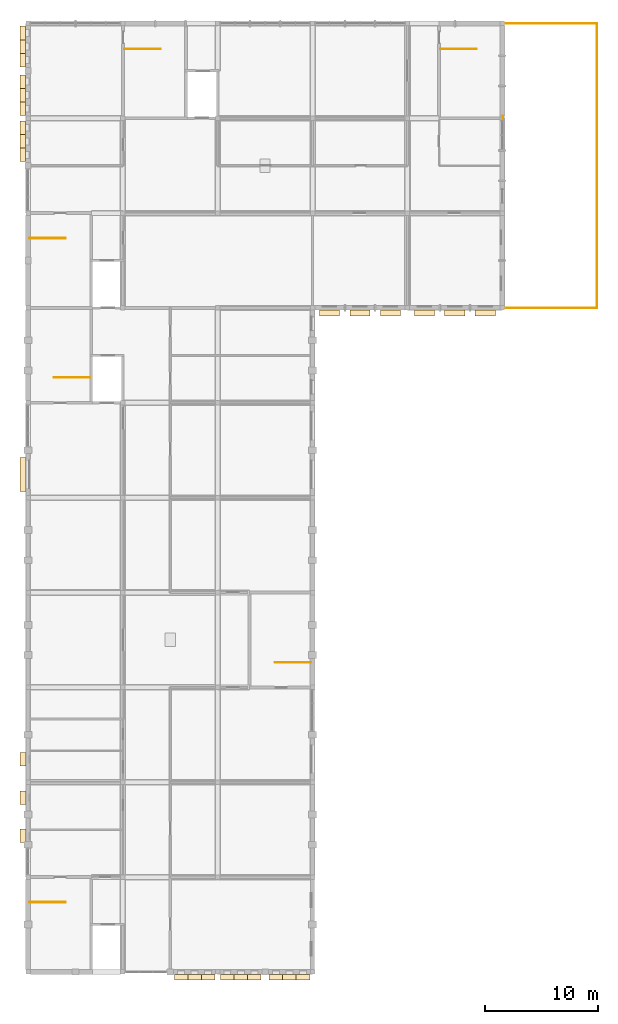
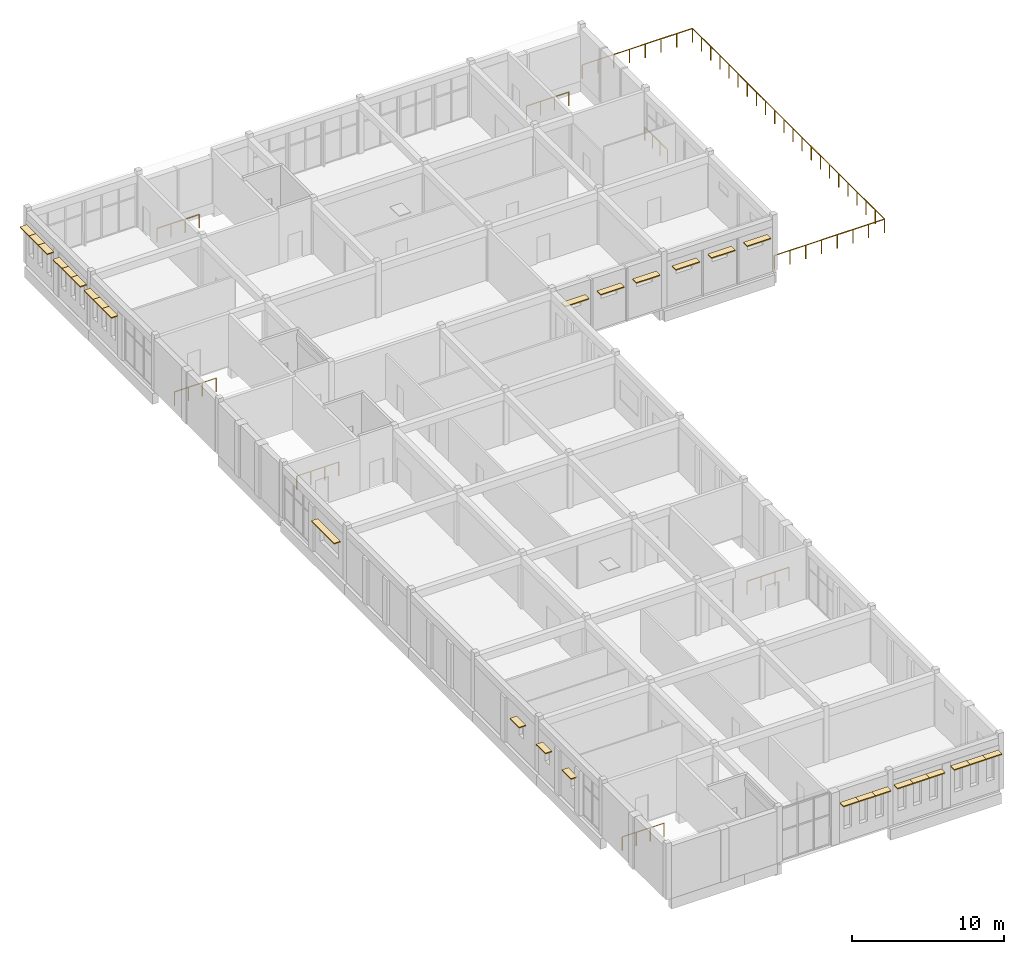
# One storey, part 15 of 15: 28 coverings, 9 railings.
"""IFC4 building model written with IfcOpenShell, lengths in metres."""

from ifc_helpers import new_model, si_unit, direction, frame, origin, origin_2d, place, context, subcontext, project, spatial, rectangle, circle, extrude, material, layer, layer_set, type_object, element, save


model = new_model("IFC4")

# Units and contexts
model_context = context("Model", 3, precision=1e-05, world=origin(), true_north=direction((0.0, 1.0)))
body_context = subcontext(model_context, "Body", "Model", "MODEL_VIEW")
ifc_project = project(units=[si_unit("LENGTHUNIT", "METRE"), si_unit("AREAUNIT", "SQUARE_METRE"), si_unit("VOLUMEUNIT", "CUBIC_METRE"), si_unit("PLANEANGLEUNIT", "RADIAN"), si_unit("MASSUNIT", "GRAM", prefix="KILO")], contexts=[model_context])

# Site, building, storey
site_placement = place(None, origin())
site = spatial("IfcSite", under=ifc_project, at=site_placement, CompositionType="ELEMENT")
building_placement = place(site_placement, origin())
building = spatial("IfcBuilding", under=site, at=building_placement, Name="Fescue Hill Polytechnic", CompositionType="ELEMENT")
storey_placement = place(building_placement, frame((0.0, 0.0, 31.5)))
storey = spatial("IfcBuildingStorey", under=building, at=storey_placement, Name="L07", CompositionType="ELEMENT", Elevation=31.5)

# Railings
ifc_material_1 = material(Name="Steel 350W (350 MPa)", Category="steel")
railing_type_1 = type_object("IfcRailingType", Name="Guard steel posts and rail 1100", PredefinedType="GUARDRAIL", material=ifc_material_1)
railing_1_placement = place(storey_placement, frame((50.39990234375, 109.199951171875, 0.0)))
element("IfcRailing", 1, at=railing_1_placement, inside=storey, type_object=railing_type_1, Name="GU-L07-V5-1", PredefinedType="GUARDRAIL", context=body_context, shape_type="SweptSolid", body=[
    extrude(circle(Radius=0.02392578125, at=origin_2d()), frame((0.0, 0.0, 1.076171875), z_axis=(-1.0, 0.0, 0.0), x_axis=(0.0, -1.0, 0.0)), (0.0, 0.0, 1.0), 8.349853515625),
    extrude(circle(Radius=0.02099609375, at=origin_2d()), origin(), (0.0, 0.0, 1.0), 1.052001953125),
    extrude(circle(Radius=0.02099609375, at=origin_2d()), frame((-1.19287109375, 0.0, 0.0)), (0.0, 0.0, 1.0), 1.052001953125),
    extrude(circle(Radius=0.02099609375, at=origin_2d()), frame((-2.3857421875, 0.0, 0.0)), (0.0, 0.0, 1.0), 1.052001953125),
    extrude(circle(Radius=0.02099609375, at=origin_2d()), frame((-3.57861328125, 0.0, 0.0)), (0.0, 0.0, 1.0), 1.052001953125),
    extrude(circle(Radius=0.02099609375, at=origin_2d()), frame((-4.771240234375, 0.0, 0.0)), (0.0, 0.0, 1.0), 1.052001953125),
    extrude(circle(Radius=0.02099609375, at=origin_2d()), frame((-5.964111328125, 0.0, 0.0)), (0.0, 0.0, 1.0), 1.052001953125),
    extrude(circle(Radius=0.02099609375, at=origin_2d()), frame((-7.156982421875, 0.0, 0.0)), (0.0, 0.0, 1.0), 1.052001953125),
    extrude(circle(Radius=0.02099609375, at=origin_2d()), frame((-8.349853515625, 0.0, 0.0)), (0.0, 0.0, 1.0), 1.052001953125),
])
railing_2_placement = place(storey_placement, frame((42.050048828125, 134.39990234375, 0.0)))
element("IfcRailing", 2, at=railing_2_placement, inside=storey, type_object=railing_type_1, Name="GU-L07-V5-2", PredefinedType="GUARDRAIL", context=body_context, shape_type="SweptSolid", body=[
    extrude(circle(Radius=0.02392578125, at=origin_2d()), frame((0.0, 0.0, 1.076171875), z_axis=(1.0, 0.0, 0.0), x_axis=(0.0, 1.0, 0.0)), (0.0, 0.0, 1.0), 8.349853515625),
    extrude(circle(Radius=0.02392578125, at=origin_2d()), frame((8.349853515625, 0.0, 1.076171875), z_axis=(0.0, -1.0, 0.0), x_axis=(1.0, 0.0, 0.0)), (0.0, 0.0, 1.0), 25.199951171875),
    extrude(circle(Radius=0.02099609375, at=origin_2d()), origin(), (0.0, 0.0, 1.0), 1.052001953125),
    extrude(circle(Radius=0.02099609375, at=origin_2d()), frame((1.19287109375, 0.0, 0.0)), (0.0, 0.0, 1.0), 1.052001953125),
    extrude(circle(Radius=0.02099609375, at=origin_2d()), frame((2.3857421875, 0.0, 0.0)), (0.0, 0.0, 1.0), 1.052001953125),
    extrude(circle(Radius=0.02099609375, at=origin_2d()), frame((3.57861328125, 0.0, 0.0)), (0.0, 0.0, 1.0), 1.052001953125),
    extrude(circle(Radius=0.02099609375, at=origin_2d()), frame((4.771240234375, 0.0, 0.0)), (0.0, 0.0, 1.0), 1.052001953125),
    extrude(circle(Radius=0.02099609375, at=origin_2d()), frame((5.964111328125, 0.0, 0.0)), (0.0, 0.0, 1.0), 1.052001953125),
    extrude(circle(Radius=0.02099609375, at=origin_2d()), frame((7.156982421875, 0.0, 0.0)), (0.0, 0.0, 1.0), 1.052001953125),
    extrude(circle(Radius=0.02099609375, at=origin_2d()), frame((8.349853515625, 0.0, 0.0)), (0.0, 0.0, 1.0), 1.052001953125),
    extrude(circle(Radius=0.02099609375, at=origin_2d()), frame((8.349853515625, -1.199951171875, 0.0)), (0.0, 0.0, 1.0), 1.052001953125),
    extrude(circle(Radius=0.02099609375, at=origin_2d()), frame((8.349853515625, -2.39990234375, 0.0)), (0.0, 0.0, 1.0), 1.052001953125),
    extrude(circle(Radius=0.02099609375, at=origin_2d()), frame((8.349853515625, -3.60009765625, 0.0)), (0.0, 0.0, 1.0), 1.052001953125),
    extrude(circle(Radius=0.02099609375, at=origin_2d()), frame((8.349853515625, -4.800048828125, 0.0)), (0.0, 0.0, 1.0), 1.052001953125),
    extrude(circle(Radius=0.02099609375, at=origin_2d()), frame((8.349853515625, -6.0, 0.0)), (0.0, 0.0, 1.0), 1.052001953125),
    extrude(circle(Radius=0.02099609375, at=origin_2d()), frame((8.349853515625, -7.199951171875, 0.0)), (0.0, 0.0, 1.0), 1.052001953125),
    extrude(circle(Radius=0.02099609375, at=origin_2d()), frame((8.349853515625, -8.39990234375, 0.0)), (0.0, 0.0, 1.0), 1.052001953125),
    extrude(circle(Radius=0.02099609375, at=origin_2d()), frame((8.349853515625, -9.60009765625, 0.0)), (0.0, 0.0, 1.0), 1.052001953125),
    extrude(circle(Radius=0.02099609375, at=origin_2d()), frame((8.349853515625, -10.800048828125, 0.0)), (0.0, 0.0, 1.0), 1.052001953125),
    extrude(circle(Radius=0.02099609375, at=origin_2d()), frame((8.349853515625, -12.0, 0.0)), (0.0, 0.0, 1.0), 1.052001953125),
    extrude(circle(Radius=0.02099609375, at=origin_2d()), frame((8.349853515625, -13.199951171875, 0.0)), (0.0, 0.0, 1.0), 1.052001953125),
    extrude(circle(Radius=0.02099609375, at=origin_2d()), frame((8.349853515625, -14.39990234375, 0.0)), (0.0, 0.0, 1.0), 1.052001953125),
    extrude(circle(Radius=0.02099609375, at=origin_2d()), frame((8.349853515625, -15.599853515625, 0.0)), (0.0, 0.0, 1.0), 1.052001953125),
    extrude(circle(Radius=0.02099609375, at=origin_2d()), frame((8.349853515625, -16.800048828125, 0.0)), (0.0, 0.0, 1.0), 1.052001953125),
    extrude(circle(Radius=0.02099609375, at=origin_2d()), frame((8.349853515625, -18.0, 0.0)), (0.0, 0.0, 1.0), 1.052001953125),
    extrude(circle(Radius=0.02099609375, at=origin_2d()), frame((8.349853515625, -19.199951171875, 0.0)), (0.0, 0.0, 1.0), 1.052001953125),
    extrude(circle(Radius=0.02099609375, at=origin_2d()), frame((8.349853515625, -20.39990234375, 0.0)), (0.0, 0.0, 1.0), 1.052001953125),
    extrude(circle(Radius=0.02099609375, at=origin_2d()), frame((8.349853515625, -21.599853515625, 0.0)), (0.0, 0.0, 1.0), 1.052001953125),
    extrude(circle(Radius=0.02099609375, at=origin_2d()), frame((8.349853515625, -22.800048828125, 0.0)), (0.0, 0.0, 1.0), 1.052001953125),
    extrude(circle(Radius=0.02099609375, at=origin_2d()), frame((8.349853515625, -24.0, 0.0)), (0.0, 0.0, 1.0), 1.052001953125),
    extrude(circle(Radius=0.02099609375, at=origin_2d()), frame((8.349853515625, -25.199951171875, 0.0)), (0.0, 0.0, 1.0), 1.052001953125),
])

# Coverings
ifc_material_2 = material(Name="Precast concrete C40/50", Category="concrete")
ifc_layer = layer(ifc_material_2, 0.080078125)
ifc_layer_set = layer_set([ifc_layer], Name="Precast concrete C40/50")
covering_type = type_object("IfcCoveringType", Name="Shade blade precast 500x80", PredefinedType="CLADDING", material=ifc_layer_set)
covering_placement = place(storey_placement, frame((-0.43994140625, 94.449951171875, 2.75), z_axis=(0.0, 0.0, 1.0), x_axis=(0.0, -1.0, 0.0)))
element("IfcCovering", 3, at=covering_placement, inside=storey, type_object=covering_type, Name="SB-L07-V4-1", PredefinedType="CLADDING", context=body_context, shape_type="SweptSolid", body=[
    extrude(rectangle(XDim=3.0, YDim=0.5, at=origin_2d()), origin(), (0.0, 0.0, 1.0), 0.080078125),
])
for number, where, z_axis, x_axis, name in (
    (4, (-0.43994140625, 69.25, 2.75), (0.0, 0.0, 1.0), (0.0, -1.0, 0.0), "SB-L07-V4-2"),
    (5, (-0.43994140625, 65.816650390625, 2.75), (0.0, 0.0, 1.0), (0.0, -1.0, 0.0), "SB-L07-V4-3"),
    (6, (-0.43994140625, 62.449951171875, 2.75), (0.0, 0.0, 1.0), (0.0, -1.0, 0.0), "SB-L07-V4-4"),
    (7, (13.550048828125, 49.93994140625, 3.14990234375), (0.0, 0.0, 1.0), (1.0, 0.0, 0.0), "SB-L07-V4-5"),
    (8, (14.75, 49.93994140625, 3.14990234375), (0.0, 0.0, 1.0), (1.0, 0.0, 0.0), "SB-L07-V4-6"),
    (9, (15.949951171875, 49.93994140625, 3.14990234375), (0.0, 0.0, 1.0), (1.0, 0.0, 0.0), "SB-L07-V4-7"),
    (10, (17.64990234375, 49.93994140625, 3.14990234375), (0.0, 0.0, 1.0), (1.0, 0.0, 0.0), "SB-L07-V4-8"),
    (11, (18.85009765625, 49.93994140625, 3.14990234375), (0.0, 0.0, 1.0), (1.0, 0.0, 0.0), "SB-L07-V4-9"),
    (12, (20.050048828125, 49.93994140625, 3.14990234375), (0.0, 0.0, 1.0), (1.0, 0.0, 0.0), "SB-L07-V4-10"),
    (13, (21.949951171875, 49.93994140625, 3.14990234375), (0.0, 0.0, 1.0), (1.0, 0.0, 0.0), "SB-L07-V4-11"),
    (14, (23.14990234375, 49.93994140625, 3.14990234375), (0.0, 0.0, 1.0), (1.0, 0.0, 0.0), "SB-L07-V4-12"),
    (15, (24.35009765625, 49.93994140625, 3.14990234375), (0.0, 0.0, 1.0), (1.0, 0.0, 0.0), "SB-L07-V4-13"),
    (16, (-0.4599609375, 133.550048828125, 3.14990234375), (0.0, 0.0, 1.0), (0.0, -1.0, 0.0), "SB-L07-V5-1"),
    (17, (-0.4599609375, 132.35009765625, 3.14990234375), (0.0, 0.0, 1.0), (0.0, -1.0, 0.0), "SB-L07-V5-2"),
    (18, (-0.4599609375, 131.14990234375, 3.14990234375), (0.0, 0.0, 1.0), (0.0, -1.0, 0.0), "SB-L07-V5-3"),
    (19, (-0.4599609375, 129.25, 3.14990234375), (0.0, 0.0, 1.0), (0.0, -1.0, 0.0), "SB-L07-V5-4"),
    (20, (-0.4599609375, 128.050048828125, 3.14990234375), (0.0, 0.0, 1.0), (0.0, -1.0, 0.0), "SB-L07-V5-5"),
    (21, (-0.4599609375, 126.85009765625, 3.14990234375), (0.0, 0.0, 1.0), (0.0, -1.0, 0.0), "SB-L07-V5-6"),
    (22, (-0.4599609375, 125.14990234375, 3.14990234375), (0.0, 0.0, 1.0), (0.0, -1.0, 0.0), "SB-L07-V5-7"),
    (23, (-0.4599609375, 123.949951171875, 3.14990234375), (0.0, 0.0, 1.0), (0.0, -1.0, 0.0), "SB-L07-V5-8"),
    (24, (-0.4599609375, 122.75, 3.14990234375), (0.0, 0.0, 1.0), (0.0, -1.0, 0.0), "SB-L07-V5-9"),
):
    element("IfcCovering", number, at=place(storey_placement, frame(where, z_axis=z_axis, x_axis=x_axis)), inside=storey, type_object=covering_type, Name=name, PredefinedType="CLADDING", context=body_context, shape_type="SweptSolid", body=[
        extrude(rectangle(XDim=1.199951171875, YDim=0.5, at=origin_2d()), origin(), (0.0, 0.0, 1.0), 0.080078125),
    ])
for number, where, z_axis, x_axis, name in (
    (25, (26.703369140625, 108.75, 3.050048828125), (0.0, 0.0, 1.0), (1.0, 0.0, 0.0), "SB-L07-V5-10"),
    (26, (29.39990234375, 108.75, 3.050048828125), (0.0, 0.0, 1.0), (1.0, 0.0, 0.0), "SB-L07-V5-11"),
    (27, (32.0966796875, 108.75, 3.050048828125), (0.0, 0.0, 1.0), (1.0, 0.0, 0.0), "SB-L07-V5-12"),
    (28, (35.103271484375, 108.75, 3.050048828125), (0.0, 0.0, 1.0), (1.0, 0.0, 0.0), "SB-L07-V5-13"),
    (29, (37.800048828125, 108.75, 3.050048828125), (0.0, 0.0, 1.0), (1.0, 0.0, 0.0), "SB-L07-V5-14"),
    (30, (40.49658203125, 108.75, 3.050048828125), (0.0, 0.0, 1.0), (1.0, 0.0, 0.0), "SB-L07-V5-15"),
):
    element("IfcCovering", number, at=place(storey_placement, frame(where, z_axis=z_axis, x_axis=x_axis)), inside=storey, type_object=covering_type, Name=name, PredefinedType="CLADDING", context=body_context, shape_type="SweptSolid", body=[
        extrude(rectangle(XDim=1.800048828125, YDim=0.5, at=origin_2d()), origin(), (0.0, 0.0, 1.0), 0.080078125),
    ])

# Railings
railing_type_2 = type_object("IfcRailingType", Name="Stair guard steel 1100", PredefinedType="GUARDRAIL", material=ifc_material_1)
railing_3_placement = place(storey_placement, frame((0.14990234375, 56.574951171875, 0.0)))
element("IfcRailing", 31, at=railing_3_placement, inside=storey, type_object=railing_type_2, Name="L07 ST-V4-1 well guard 1", PredefinedType="GUARDRAIL", context=body_context, shape_type="SweptSolid", body=[
    extrude(circle(Radius=0.02392578125, at=origin_2d()), frame((0.0, 0.0, 1.076171875), z_axis=(1.0, 0.0, 0.0), x_axis=(0.0, 1.0, 0.0)), (0.0, 0.0, 1.0), 3.175048828125),
    extrude(circle(Radius=0.02099609375, at=origin_2d()), origin(), (0.0, 0.0, 1.0), 1.052001953125),
    extrude(circle(Radius=0.02099609375, at=origin_2d()), frame((1.058349609375, 0.0, 0.0)), (0.0, 0.0, 1.0), 1.052001953125),
    extrude(circle(Radius=0.02099609375, at=origin_2d()), frame((2.11669921875, 0.0, 0.0)), (0.0, 0.0, 1.0), 1.052001953125),
    extrude(circle(Radius=0.02099609375, at=origin_2d()), frame((3.175048828125, 0.0, 0.0)), (0.0, 0.0, 1.0), 1.052001953125),
])
for number, where, name in (
    (32, (5.47509765625, 103.02490234375, 0.0), "L07 ST-V4-2 well guard 1"),
    (33, (25.050048828125, 77.824951171875, 0.0), "L07 ST-V4-3 well guard 1"),
):
    element("IfcRailing", number, at=place(storey_placement, frame(where)), inside=storey, type_object=railing_type_2, Name=name, PredefinedType="GUARDRAIL", context=body_context, shape_type="SweptSolid", body=[
        extrude(circle(Radius=0.02392578125, at=origin_2d()), frame((0.0, 0.0, 1.076171875), z_axis=(-1.0, 0.0, 0.0), x_axis=(0.0, -1.0, 0.0)), (0.0, 0.0, 1.0), 3.175048828125),
        extrude(circle(Radius=0.02099609375, at=origin_2d()), origin(), (0.0, 0.0, 1.0), 1.052001953125),
        extrude(circle(Radius=0.02099609375, at=origin_2d()), frame((-1.058349609375, 0.0, 0.0)), (0.0, 0.0, 1.0), 1.052001953125),
        extrude(circle(Radius=0.02099609375, at=origin_2d()), frame((-2.11669921875, 0.0, 0.0)), (0.0, 0.0, 1.0), 1.052001953125),
        extrude(circle(Radius=0.02099609375, at=origin_2d()), frame((-3.175048828125, 0.0, 0.0)), (0.0, 0.0, 1.0), 1.052001953125),
    ])
railing_4_placement = place(storey_placement, frame((0.14990234375, 115.375, 0.0)))
element("IfcRailing", 34, at=railing_4_placement, inside=storey, type_object=railing_type_2, Name="L07 ST-V5-1 well guard 1", PredefinedType="GUARDRAIL", context=body_context, shape_type="SweptSolid", body=[
    extrude(circle(Radius=0.02392578125, at=origin_2d()), frame((0.0, 0.0, 1.076171875), z_axis=(1.0, 0.0, 0.0), x_axis=(0.0, 1.0, 0.0)), (0.0, 0.0, 1.0), 3.175048828125),
    extrude(circle(Radius=0.02099609375, at=origin_2d()), origin(), (0.0, 0.0, 1.0), 1.052001953125),
    extrude(circle(Radius=0.02099609375, at=origin_2d()), frame((1.058349609375, 0.0, 0.0)), (0.0, 0.0, 1.0), 1.052001953125),
    extrude(circle(Radius=0.02099609375, at=origin_2d()), frame((2.11669921875, 0.0, 0.0)), (0.0, 0.0, 1.0), 1.052001953125),
    extrude(circle(Radius=0.02099609375, at=origin_2d()), frame((3.175048828125, 0.0, 0.0)), (0.0, 0.0, 1.0), 1.052001953125),
])
for number, where, name in (
    (35, (36.52490234375, 132.14990234375, 0.0), "L07 ST-V5-2 well guard 1"),
    (36, (8.52490234375, 132.14990234375, 0.0), "L07 ST-V5-3 well guard 1"),
):
    element("IfcRailing", number, at=place(storey_placement, frame(where)), inside=storey, type_object=railing_type_2, Name=name, PredefinedType="GUARDRAIL", context=body_context, shape_type="SweptSolid", body=[
        extrude(circle(Radius=0.02392578125, at=origin_2d()), frame((0.0, 0.0, 1.076171875), z_axis=(1.0, 0.0, 0.0), x_axis=(0.0, 1.0, 0.0)), (0.0, 0.0, 1.0), 3.2001953125),
        extrude(circle(Radius=0.02099609375, at=origin_2d()), origin(), (0.0, 0.0, 1.0), 1.052001953125),
        extrude(circle(Radius=0.02099609375, at=origin_2d()), frame((1.066650390625, 0.0, 0.0)), (0.0, 0.0, 1.0), 1.052001953125),
        extrude(circle(Radius=0.02099609375, at=origin_2d()), frame((2.133544921875, 0.0, 0.0)), (0.0, 0.0, 1.0), 1.052001953125),
        extrude(circle(Radius=0.02099609375, at=origin_2d()), frame((3.2001953125, 0.0, 0.0)), (0.0, 0.0, 1.0), 1.052001953125),
    ])
railing_type_3 = type_object("IfcRailingType", Name="Void edge guard steel 1100", PredefinedType="GUARDRAIL", material=ifc_material_1)
railing_5_placement = place(storey_placement, frame((42.050048828125, 123.193359375, 0.0)))
element("IfcRailing", 37, at=railing_5_placement, inside=storey, type_object=railing_type_3, Name="RF-L06-V5-1 terrace edge guard 1", PredefinedType="GUARDRAIL", context=body_context, shape_type="SweptSolid", body=[
    extrude(circle(Radius=0.02392578125, at=origin_2d()), frame((0.0, 0.0, 1.076171875), z_axis=(0.0, 1.0, 0.0), x_axis=(-1.0, 0.0, 0.0)), (0.0, 0.0, 1.0), 3.006591796875),
    extrude(circle(Radius=0.02099609375, at=origin_2d()), origin(), (0.0, 0.0, 1.0), 1.052001953125),
    extrude(circle(Radius=0.02099609375, at=origin_2d()), frame((0.0, 1.002197265625, 0.0)), (0.0, 0.0, 1.0), 1.052001953125),
    extrude(circle(Radius=0.02099609375, at=origin_2d()), frame((0.0, 2.00439453125, 0.0)), (0.0, 0.0, 1.0), 1.052001953125),
    extrude(circle(Radius=0.02099609375, at=origin_2d()), frame((0.0, 3.006591796875, 0.0)), (0.0, 0.0, 1.0), 1.052001953125),
])

save(model, "model.ifc")
